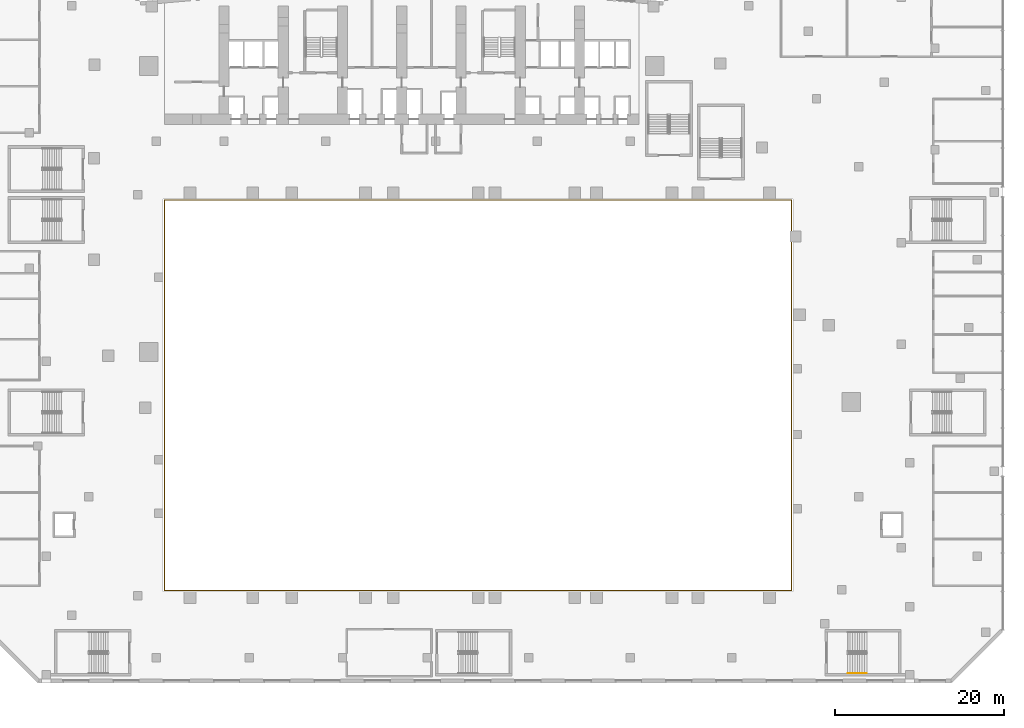
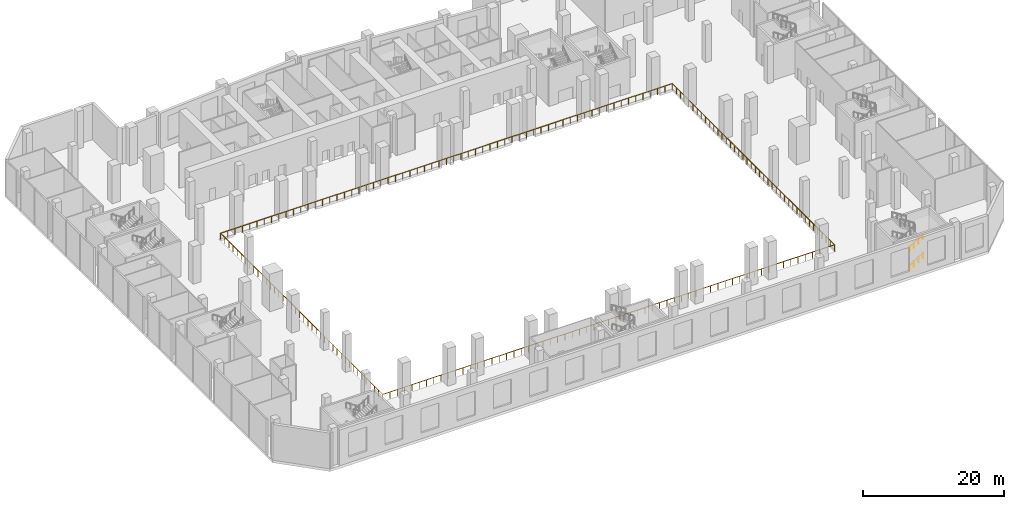
# One storey, part 25 of 30: 3 railings.
"""IFC4 building model written with IfcOpenShell, lengths in metres."""

from ifc_helpers import new_model, si_unit, direction, frame, origin, origin_2d, place, context, subcontext, project, spatial, circle, extrude, material, type_object, element, save


model = new_model("IFC4")

# Units and contexts
model_context = context("Model", 3, precision=1e-05, world=origin(), true_north=direction((0.0, 1.0)))
body_context = subcontext(model_context, "Body", "Model", "MODEL_VIEW")
ifc_project = project(units=[si_unit("LENGTHUNIT", "METRE"), si_unit("AREAUNIT", "SQUARE_METRE"), si_unit("VOLUMEUNIT", "CUBIC_METRE"), si_unit("PLANEANGLEUNIT", "RADIAN"), si_unit("MASSUNIT", "GRAM", prefix="KILO")], contexts=[model_context])

# Site, building, storey
site_placement = place(None, origin())
site = spatial("IfcSite", under=ifc_project, at=site_placement, CompositionType="ELEMENT")
building_placement = place(site_placement, origin())
building = spatial("IfcBuilding", under=site, at=building_placement, Name="Wharfspan Tower", CompositionType="ELEMENT")
storey_placement = place(building_placement, frame((0.0, 0.0, 15.0)))
storey = spatial("IfcBuildingStorey", under=building, at=storey_placement, Name="L02", CompositionType="ELEMENT", Elevation=15.0)

# Railings
ifc_material = material(Name="Steel S355J2", Category="steel")
railing_type_1 = type_object("IfcRailingType", Name="Guard 1100", PredefinedType="GUARDRAIL", material=ifc_material)
railing_placement = place(storey_placement, frame((8.949951, -21.050049, 0.0)))
element("IfcRailing", 1, at=railing_placement, inside=storey, type_object=railing_type_1, Name="Guard on the arena edge L02", PredefinedType="GUARDRAIL", context=body_context, shape_type="SweptSolid", body=[
    extrude(circle(Radius=0.024902, at=origin_2d()), frame((0.0, 0.0, 1.075195), z_axis=(1.0, 0.0, 0.0), x_axis=(0.0, 1.0, 0.0)), (0.0, 0.0, 1.0), 74.100098),
    extrude(circle(Radius=0.024902, at=origin_2d()), frame((74.100098, 0.0, 1.075195), z_axis=(0.0, 1.0, 0.0), x_axis=(-1.0, 0.0, 0.0)), (0.0, 0.0, 1.0), 46.100098),
    extrude(circle(Radius=0.024902, at=origin_2d()), frame((74.100098, 46.100098, 1.075195), z_axis=(-1.0, 0.0, 0.0), x_axis=(0.0, -1.0, 0.0)), (0.0, 0.0, 1.0), 74.100098),
    extrude(circle(Radius=0.024902, at=origin_2d()), frame((0.0, 46.100098, 1.075195), z_axis=(0.0, -1.0, 0.0), x_axis=(1.0, 0.0, 0.0)), (0.0, 0.0, 1.0), 46.100098),
    extrude(circle(Radius=0.02002, at=origin_2d()), origin(), (0.0, 0.0, 1.0), 1.050049),
    extrude(circle(Radius=0.02002, at=origin_2d()), frame((1.195068, 0.0, 0.0)), (0.0, 0.0, 1.0), 1.050049),
    extrude(circle(Radius=0.02002, at=origin_2d()), frame((2.390381, 0.0, 0.0)), (0.0, 0.0, 1.0), 1.050049),
    extrude(circle(Radius=0.02002, at=origin_2d()), frame((3.585449, 0.0, 0.0)), (0.0, 0.0, 1.0), 1.050049),
    extrude(circle(Radius=0.02002, at=origin_2d()), frame((4.780762, 0.0, 0.0)), (0.0, 0.0, 1.0), 1.050049),
    extrude(circle(Radius=0.02002, at=origin_2d()), frame((5.97583, 0.0, 0.0)), (0.0, 0.0, 1.0), 1.050049),
    extrude(circle(Radius=0.02002, at=origin_2d()), frame((7.170898, 0.0, 0.0)), (0.0, 0.0, 1.0), 1.050049),
    extrude(circle(Radius=0.02002, at=origin_2d()), frame((8.366211, 0.0, 0.0)), (0.0, 0.0, 1.0), 1.050049),
    extrude(circle(Radius=0.02002, at=origin_2d()), frame((9.561279, 0.0, 0.0)), (0.0, 0.0, 1.0), 1.050049),
    extrude(circle(Radius=0.02002, at=origin_2d()), frame((10.756348, 0.0, 0.0)), (0.0, 0.0, 1.0), 1.050049),
    extrude(circle(Radius=0.02002, at=origin_2d()), frame((11.95166, 0.0, 0.0)), (0.0, 0.0, 1.0), 1.050049),
    extrude(circle(Radius=0.02002, at=origin_2d()), frame((13.146729, 0.0, 0.0)), (0.0, 0.0, 1.0), 1.050049),
    extrude(circle(Radius=0.02002, at=origin_2d()), frame((14.342041, 0.0, 0.0)), (0.0, 0.0, 1.0), 1.050049),
    extrude(circle(Radius=0.02002, at=origin_2d()), frame((15.537109, 0.0, 0.0)), (0.0, 0.0, 1.0), 1.050049),
    extrude(circle(Radius=0.02002, at=origin_2d()), frame((16.732178, 0.0, 0.0)), (0.0, 0.0, 1.0), 1.050049),
    extrude(circle(Radius=0.02002, at=origin_2d()), frame((17.92749, 0.0, 0.0)), (0.0, 0.0, 1.0), 1.050049),
    extrude(circle(Radius=0.02002, at=origin_2d()), frame((19.122559, 0.0, 0.0)), (0.0, 0.0, 1.0), 1.050049),
    extrude(circle(Radius=0.02002, at=origin_2d()), frame((20.317871, 0.0, 0.0)), (0.0, 0.0, 1.0), 1.050049),
    extrude(circle(Radius=0.02002, at=origin_2d()), frame((21.512939, 0.0, 0.0)), (0.0, 0.0, 1.0), 1.050049),
    extrude(circle(Radius=0.02002, at=origin_2d()), frame((22.708008, 0.0, 0.0)), (0.0, 0.0, 1.0), 1.050049),
    extrude(circle(Radius=0.02002, at=origin_2d()), frame((23.90332, 0.0, 0.0)), (0.0, 0.0, 1.0), 1.050049),
    extrude(circle(Radius=0.02002, at=origin_2d()), frame((25.098389, 0.0, 0.0)), (0.0, 0.0, 1.0), 1.050049),
    extrude(circle(Radius=0.02002, at=origin_2d()), frame((26.293701, 0.0, 0.0)), (0.0, 0.0, 1.0), 1.050049),
    extrude(circle(Radius=0.02002, at=origin_2d()), frame((27.48877, 0.0, 0.0)), (0.0, 0.0, 1.0), 1.050049),
    extrude(circle(Radius=0.02002, at=origin_2d()), frame((28.683838, 0.0, 0.0)), (0.0, 0.0, 1.0), 1.050049),
    extrude(circle(Radius=0.02002, at=origin_2d()), frame((29.87915, 0.0, 0.0)), (0.0, 0.0, 1.0), 1.050049),
    extrude(circle(Radius=0.02002, at=origin_2d()), frame((31.074219, 0.0, 0.0)), (0.0, 0.0, 1.0), 1.050049),
    extrude(circle(Radius=0.02002, at=origin_2d()), frame((32.269287, 0.0, 0.0)), (0.0, 0.0, 1.0), 1.050049),
    extrude(circle(Radius=0.02002, at=origin_2d()), frame((33.4646, 0.0, 0.0)), (0.0, 0.0, 1.0), 1.050049),
    extrude(circle(Radius=0.02002, at=origin_2d()), frame((34.659668, 0.0, 0.0)), (0.0, 0.0, 1.0), 1.050049),
    extrude(circle(Radius=0.02002, at=origin_2d()), frame((35.85498, 0.0, 0.0)), (0.0, 0.0, 1.0), 1.050049),
    extrude(circle(Radius=0.02002, at=origin_2d()), frame((37.050049, 0.0, 0.0)), (0.0, 0.0, 1.0), 1.050049),
    extrude(circle(Radius=0.02002, at=origin_2d()), frame((38.245117, 0.0, 0.0)), (0.0, 0.0, 1.0), 1.050049),
    extrude(circle(Radius=0.02002, at=origin_2d()), frame((39.44043, 0.0, 0.0)), (0.0, 0.0, 1.0), 1.050049),
    extrude(circle(Radius=0.02002, at=origin_2d()), frame((40.635498, 0.0, 0.0)), (0.0, 0.0, 1.0), 1.050049),
    extrude(circle(Radius=0.02002, at=origin_2d()), frame((41.830811, 0.0, 0.0)), (0.0, 0.0, 1.0), 1.050049),
    extrude(circle(Radius=0.02002, at=origin_2d()), frame((43.025879, 0.0, 0.0)), (0.0, 0.0, 1.0), 1.050049),
    extrude(circle(Radius=0.02002, at=origin_2d()), frame((44.220947, 0.0, 0.0)), (0.0, 0.0, 1.0), 1.050049),
    extrude(circle(Radius=0.02002, at=origin_2d()), frame((45.41626, 0.0, 0.0)), (0.0, 0.0, 1.0), 1.050049),
    extrude(circle(Radius=0.02002, at=origin_2d()), frame((46.611328, 0.0, 0.0)), (0.0, 0.0, 1.0), 1.050049),
    extrude(circle(Radius=0.02002, at=origin_2d()), frame((47.806396, 0.0, 0.0)), (0.0, 0.0, 1.0), 1.050049),
    extrude(circle(Radius=0.02002, at=origin_2d()), frame((49.001709, 0.0, 0.0)), (0.0, 0.0, 1.0), 1.050049),
    extrude(circle(Radius=0.02002, at=origin_2d()), frame((50.196777, 0.0, 0.0)), (0.0, 0.0, 1.0), 1.050049),
    extrude(circle(Radius=0.02002, at=origin_2d()), frame((51.39209, 0.0, 0.0)), (0.0, 0.0, 1.0), 1.050049),
    extrude(circle(Radius=0.02002, at=origin_2d()), frame((52.587158, 0.0, 0.0)), (0.0, 0.0, 1.0), 1.050049),
    extrude(circle(Radius=0.02002, at=origin_2d()), frame((53.782227, 0.0, 0.0)), (0.0, 0.0, 1.0), 1.050049),
    extrude(circle(Radius=0.02002, at=origin_2d()), frame((54.977539, 0.0, 0.0)), (0.0, 0.0, 1.0), 1.050049),
    extrude(circle(Radius=0.02002, at=origin_2d()), frame((56.172607, 0.0, 0.0)), (0.0, 0.0, 1.0), 1.050049),
    extrude(circle(Radius=0.02002, at=origin_2d()), frame((57.36792, 0.0, 0.0)), (0.0, 0.0, 1.0), 1.050049),
    extrude(circle(Radius=0.02002, at=origin_2d()), frame((58.562988, 0.0, 0.0)), (0.0, 0.0, 1.0), 1.050049),
    extrude(circle(Radius=0.02002, at=origin_2d()), frame((59.758057, 0.0, 0.0)), (0.0, 0.0, 1.0), 1.050049),
    extrude(circle(Radius=0.02002, at=origin_2d()), frame((60.953369, 0.0, 0.0)), (0.0, 0.0, 1.0), 1.050049),
    extrude(circle(Radius=0.02002, at=origin_2d()), frame((62.148438, 0.0, 0.0)), (0.0, 0.0, 1.0), 1.050049),
    extrude(circle(Radius=0.02002, at=origin_2d()), frame((63.34375, 0.0, 0.0)), (0.0, 0.0, 1.0), 1.050049),
    extrude(circle(Radius=0.02002, at=origin_2d()), frame((64.538818, 0.0, 0.0)), (0.0, 0.0, 1.0), 1.050049),
    extrude(circle(Radius=0.02002, at=origin_2d()), frame((65.733887, 0.0, 0.0)), (0.0, 0.0, 1.0), 1.050049),
    extrude(circle(Radius=0.02002, at=origin_2d()), frame((66.929199, 0.0, 0.0)), (0.0, 0.0, 1.0), 1.050049),
    extrude(circle(Radius=0.02002, at=origin_2d()), frame((68.124268, 0.0, 0.0)), (0.0, 0.0, 1.0), 1.050049),
    extrude(circle(Radius=0.02002, at=origin_2d()), frame((69.319336, 0.0, 0.0)), (0.0, 0.0, 1.0), 1.050049),
    extrude(circle(Radius=0.02002, at=origin_2d()), frame((70.514648, 0.0, 0.0)), (0.0, 0.0, 1.0), 1.050049),
    extrude(circle(Radius=0.02002, at=origin_2d()), frame((71.709717, 0.0, 0.0)), (0.0, 0.0, 1.0), 1.050049),
    extrude(circle(Radius=0.02002, at=origin_2d()), frame((72.905029, 0.0, 0.0)), (0.0, 0.0, 1.0), 1.050049),
    extrude(circle(Radius=0.02002, at=origin_2d()), frame((74.100098, 0.0, 0.0)), (0.0, 0.0, 1.0), 1.050049),
    extrude(circle(Radius=0.02002, at=origin_2d()), frame((74.100098, 1.182129, 0.0)), (0.0, 0.0, 1.0), 1.050049),
    extrude(circle(Radius=0.02002, at=origin_2d()), frame((74.100098, 2.364014, 0.0)), (0.0, 0.0, 1.0), 1.050049),
    extrude(circle(Radius=0.02002, at=origin_2d()), frame((74.100098, 3.546143, 0.0)), (0.0, 0.0, 1.0), 1.050049),
    extrude(circle(Radius=0.02002, at=origin_2d()), frame((74.100098, 4.728271, 0.0)), (0.0, 0.0, 1.0), 1.050049),
    extrude(circle(Radius=0.02002, at=origin_2d()), frame((74.100098, 5.910156, 0.0)), (0.0, 0.0, 1.0), 1.050049),
    extrude(circle(Radius=0.02002, at=origin_2d()), frame((74.100098, 7.092285, 0.0)), (0.0, 0.0, 1.0), 1.050049),
    extrude(circle(Radius=0.02002, at=origin_2d()), frame((74.100098, 8.274414, 0.0)), (0.0, 0.0, 1.0), 1.050049),
    extrude(circle(Radius=0.02002, at=origin_2d()), frame((74.100098, 9.456543, 0.0)), (0.0, 0.0, 1.0), 1.050049),
    extrude(circle(Radius=0.02002, at=origin_2d()), frame((74.100098, 10.638428, 0.0)), (0.0, 0.0, 1.0), 1.050049),
    extrude(circle(Radius=0.02002, at=origin_2d()), frame((74.100098, 11.820557, 0.0)), (0.0, 0.0, 1.0), 1.050049),
    extrude(circle(Radius=0.02002, at=origin_2d()), frame((74.100098, 13.002686, 0.0)), (0.0, 0.0, 1.0), 1.050049),
    extrude(circle(Radius=0.02002, at=origin_2d()), frame((74.100098, 14.18457, 0.0)), (0.0, 0.0, 1.0), 1.050049),
    extrude(circle(Radius=0.02002, at=origin_2d()), frame((74.100098, 15.366699, 0.0)), (0.0, 0.0, 1.0), 1.050049),
    extrude(circle(Radius=0.02002, at=origin_2d()), frame((74.100098, 16.548828, 0.0)), (0.0, 0.0, 1.0), 1.050049),
    extrude(circle(Radius=0.02002, at=origin_2d()), frame((74.100098, 17.730713, 0.0)), (0.0, 0.0, 1.0), 1.050049),
    extrude(circle(Radius=0.02002, at=origin_2d()), frame((74.100098, 18.912842, 0.0)), (0.0, 0.0, 1.0), 1.050049),
    extrude(circle(Radius=0.02002, at=origin_2d()), frame((74.100098, 20.094971, 0.0)), (0.0, 0.0, 1.0), 1.050049),
    extrude(circle(Radius=0.02002, at=origin_2d()), frame((74.100098, 21.276855, 0.0)), (0.0, 0.0, 1.0), 1.050049),
    extrude(circle(Radius=0.02002, at=origin_2d()), frame((74.100098, 22.458984, 0.0)), (0.0, 0.0, 1.0), 1.050049),
    extrude(circle(Radius=0.02002, at=origin_2d()), frame((74.100098, 23.641113, 0.0)), (0.0, 0.0, 1.0), 1.050049),
    extrude(circle(Radius=0.02002, at=origin_2d()), frame((74.100098, 24.823242, 0.0)), (0.0, 0.0, 1.0), 1.050049),
    extrude(circle(Radius=0.02002, at=origin_2d()), frame((74.100098, 26.005127, 0.0)), (0.0, 0.0, 1.0), 1.050049),
    extrude(circle(Radius=0.02002, at=origin_2d()), frame((74.100098, 27.187256, 0.0)), (0.0, 0.0, 1.0), 1.050049),
    extrude(circle(Radius=0.02002, at=origin_2d()), frame((74.100098, 28.369385, 0.0)), (0.0, 0.0, 1.0), 1.050049),
    extrude(circle(Radius=0.02002, at=origin_2d()), frame((74.100098, 29.55127, 0.0)), (0.0, 0.0, 1.0), 1.050049),
    extrude(circle(Radius=0.02002, at=origin_2d()), frame((74.100098, 30.733398, 0.0)), (0.0, 0.0, 1.0), 1.050049),
    extrude(circle(Radius=0.02002, at=origin_2d()), frame((74.100098, 31.915527, 0.0)), (0.0, 0.0, 1.0), 1.050049),
    extrude(circle(Radius=0.02002, at=origin_2d()), frame((74.100098, 33.097412, 0.0)), (0.0, 0.0, 1.0), 1.050049),
    extrude(circle(Radius=0.02002, at=origin_2d()), frame((74.100098, 34.279541, 0.0)), (0.0, 0.0, 1.0), 1.050049),
    extrude(circle(Radius=0.02002, at=origin_2d()), frame((74.100098, 35.46167, 0.0)), (0.0, 0.0, 1.0), 1.050049),
    extrude(circle(Radius=0.02002, at=origin_2d()), frame((74.100098, 36.643555, 0.0)), (0.0, 0.0, 1.0), 1.050049),
    extrude(circle(Radius=0.02002, at=origin_2d()), frame((74.100098, 37.825684, 0.0)), (0.0, 0.0, 1.0), 1.050049),
    extrude(circle(Radius=0.02002, at=origin_2d()), frame((74.100098, 39.007812, 0.0)), (0.0, 0.0, 1.0), 1.050049),
    extrude(circle(Radius=0.02002, at=origin_2d()), frame((74.100098, 40.189941, 0.0)), (0.0, 0.0, 1.0), 1.050049),
    extrude(circle(Radius=0.02002, at=origin_2d()), frame((74.100098, 41.371826, 0.0)), (0.0, 0.0, 1.0), 1.050049),
    extrude(circle(Radius=0.02002, at=origin_2d()), frame((74.100098, 42.553955, 0.0)), (0.0, 0.0, 1.0), 1.050049),
    extrude(circle(Radius=0.02002, at=origin_2d()), frame((74.100098, 43.736084, 0.0)), (0.0, 0.0, 1.0), 1.050049),
    extrude(circle(Radius=0.02002, at=origin_2d()), frame((74.100098, 44.917969, 0.0)), (0.0, 0.0, 1.0), 1.050049),
    extrude(circle(Radius=0.02002, at=origin_2d()), frame((74.100098, 46.100098, 0.0)), (0.0, 0.0, 1.0), 1.050049),
    extrude(circle(Radius=0.02002, at=origin_2d()), frame((72.905029, 46.100098, 0.0)), (0.0, 0.0, 1.0), 1.050049),
    extrude(circle(Radius=0.02002, at=origin_2d()), frame((71.709717, 46.100098, 0.0)), (0.0, 0.0, 1.0), 1.050049),
    extrude(circle(Radius=0.02002, at=origin_2d()), frame((70.514648, 46.100098, 0.0)), (0.0, 0.0, 1.0), 1.050049),
    extrude(circle(Radius=0.02002, at=origin_2d()), frame((69.319336, 46.100098, 0.0)), (0.0, 0.0, 1.0), 1.050049),
    extrude(circle(Radius=0.02002, at=origin_2d()), frame((68.124268, 46.100098, 0.0)), (0.0, 0.0, 1.0), 1.050049),
    extrude(circle(Radius=0.02002, at=origin_2d()), frame((66.929199, 46.100098, 0.0)), (0.0, 0.0, 1.0), 1.050049),
    extrude(circle(Radius=0.02002, at=origin_2d()), frame((65.733887, 46.100098, 0.0)), (0.0, 0.0, 1.0), 1.050049),
    extrude(circle(Radius=0.02002, at=origin_2d()), frame((64.538818, 46.100098, 0.0)), (0.0, 0.0, 1.0), 1.050049),
    extrude(circle(Radius=0.02002, at=origin_2d()), frame((63.34375, 46.100098, 0.0)), (0.0, 0.0, 1.0), 1.050049),
    extrude(circle(Radius=0.02002, at=origin_2d()), frame((62.148438, 46.100098, 0.0)), (0.0, 0.0, 1.0), 1.050049),
    extrude(circle(Radius=0.02002, at=origin_2d()), frame((60.953369, 46.100098, 0.0)), (0.0, 0.0, 1.0), 1.050049),
    extrude(circle(Radius=0.02002, at=origin_2d()), frame((59.758057, 46.100098, 0.0)), (0.0, 0.0, 1.0), 1.050049),
    extrude(circle(Radius=0.02002, at=origin_2d()), frame((58.562988, 46.100098, 0.0)), (0.0, 0.0, 1.0), 1.050049),
    extrude(circle(Radius=0.02002, at=origin_2d()), frame((57.36792, 46.100098, 0.0)), (0.0, 0.0, 1.0), 1.050049),
    extrude(circle(Radius=0.02002, at=origin_2d()), frame((56.172607, 46.100098, 0.0)), (0.0, 0.0, 1.0), 1.050049),
    extrude(circle(Radius=0.02002, at=origin_2d()), frame((54.977539, 46.100098, 0.0)), (0.0, 0.0, 1.0), 1.050049),
    extrude(circle(Radius=0.02002, at=origin_2d()), frame((53.782227, 46.100098, 0.0)), (0.0, 0.0, 1.0), 1.050049),
    extrude(circle(Radius=0.02002, at=origin_2d()), frame((52.587158, 46.100098, 0.0)), (0.0, 0.0, 1.0), 1.050049),
    extrude(circle(Radius=0.02002, at=origin_2d()), frame((51.39209, 46.100098, 0.0)), (0.0, 0.0, 1.0), 1.050049),
    extrude(circle(Radius=0.02002, at=origin_2d()), frame((50.196777, 46.100098, 0.0)), (0.0, 0.0, 1.0), 1.050049),
    extrude(circle(Radius=0.02002, at=origin_2d()), frame((49.001709, 46.100098, 0.0)), (0.0, 0.0, 1.0), 1.050049),
    extrude(circle(Radius=0.02002, at=origin_2d()), frame((47.806396, 46.100098, 0.0)), (0.0, 0.0, 1.0), 1.050049),
    extrude(circle(Radius=0.02002, at=origin_2d()), frame((46.611328, 46.100098, 0.0)), (0.0, 0.0, 1.0), 1.050049),
    extrude(circle(Radius=0.02002, at=origin_2d()), frame((45.41626, 46.100098, 0.0)), (0.0, 0.0, 1.0), 1.050049),
    extrude(circle(Radius=0.02002, at=origin_2d()), frame((44.220947, 46.100098, 0.0)), (0.0, 0.0, 1.0), 1.050049),
    extrude(circle(Radius=0.02002, at=origin_2d()), frame((43.025879, 46.100098, 0.0)), (0.0, 0.0, 1.0), 1.050049),
    extrude(circle(Radius=0.02002, at=origin_2d()), frame((41.830811, 46.100098, 0.0)), (0.0, 0.0, 1.0), 1.050049),
    extrude(circle(Radius=0.02002, at=origin_2d()), frame((40.635498, 46.100098, 0.0)), (0.0, 0.0, 1.0), 1.050049),
    extrude(circle(Radius=0.02002, at=origin_2d()), frame((39.44043, 46.100098, 0.0)), (0.0, 0.0, 1.0), 1.050049),
    extrude(circle(Radius=0.02002, at=origin_2d()), frame((38.245117, 46.100098, 0.0)), (0.0, 0.0, 1.0), 1.050049),
    extrude(circle(Radius=0.02002, at=origin_2d()), frame((37.050049, 46.100098, 0.0)), (0.0, 0.0, 1.0), 1.050049),
    extrude(circle(Radius=0.02002, at=origin_2d()), frame((35.85498, 46.100098, 0.0)), (0.0, 0.0, 1.0), 1.050049),
    extrude(circle(Radius=0.02002, at=origin_2d()), frame((34.659668, 46.100098, 0.0)), (0.0, 0.0, 1.0), 1.050049),
    extrude(circle(Radius=0.02002, at=origin_2d()), frame((33.4646, 46.100098, 0.0)), (0.0, 0.0, 1.0), 1.050049),
    extrude(circle(Radius=0.02002, at=origin_2d()), frame((32.269287, 46.100098, 0.0)), (0.0, 0.0, 1.0), 1.050049),
    extrude(circle(Radius=0.02002, at=origin_2d()), frame((31.074219, 46.100098, 0.0)), (0.0, 0.0, 1.0), 1.050049),
    extrude(circle(Radius=0.02002, at=origin_2d()), frame((29.87915, 46.100098, 0.0)), (0.0, 0.0, 1.0), 1.050049),
    extrude(circle(Radius=0.02002, at=origin_2d()), frame((28.683838, 46.100098, 0.0)), (0.0, 0.0, 1.0), 1.050049),
    extrude(circle(Radius=0.02002, at=origin_2d()), frame((27.48877, 46.100098, 0.0)), (0.0, 0.0, 1.0), 1.050049),
    extrude(circle(Radius=0.02002, at=origin_2d()), frame((26.293701, 46.100098, 0.0)), (0.0, 0.0, 1.0), 1.050049),
    extrude(circle(Radius=0.02002, at=origin_2d()), frame((25.098389, 46.100098, 0.0)), (0.0, 0.0, 1.0), 1.050049),
    extrude(circle(Radius=0.02002, at=origin_2d()), frame((23.90332, 46.100098, 0.0)), (0.0, 0.0, 1.0), 1.050049),
    extrude(circle(Radius=0.02002, at=origin_2d()), frame((22.708008, 46.100098, 0.0)), (0.0, 0.0, 1.0), 1.050049),
    extrude(circle(Radius=0.02002, at=origin_2d()), frame((21.512939, 46.100098, 0.0)), (0.0, 0.0, 1.0), 1.050049),
    extrude(circle(Radius=0.02002, at=origin_2d()), frame((20.317871, 46.100098, 0.0)), (0.0, 0.0, 1.0), 1.050049),
    extrude(circle(Radius=0.02002, at=origin_2d()), frame((19.122559, 46.100098, 0.0)), (0.0, 0.0, 1.0), 1.050049),
    extrude(circle(Radius=0.02002, at=origin_2d()), frame((17.92749, 46.100098, 0.0)), (0.0, 0.0, 1.0), 1.050049),
    extrude(circle(Radius=0.02002, at=origin_2d()), frame((16.732178, 46.100098, 0.0)), (0.0, 0.0, 1.0), 1.050049),
    extrude(circle(Radius=0.02002, at=origin_2d()), frame((15.537109, 46.100098, 0.0)), (0.0, 0.0, 1.0), 1.050049),
    extrude(circle(Radius=0.02002, at=origin_2d()), frame((14.342041, 46.100098, 0.0)), (0.0, 0.0, 1.0), 1.050049),
    extrude(circle(Radius=0.02002, at=origin_2d()), frame((13.146729, 46.100098, 0.0)), (0.0, 0.0, 1.0), 1.050049),
    extrude(circle(Radius=0.02002, at=origin_2d()), frame((11.95166, 46.100098, 0.0)), (0.0, 0.0, 1.0), 1.050049),
    extrude(circle(Radius=0.02002, at=origin_2d()), frame((10.756348, 46.100098, 0.0)), (0.0, 0.0, 1.0), 1.050049),
    extrude(circle(Radius=0.02002, at=origin_2d()), frame((9.561279, 46.100098, 0.0)), (0.0, 0.0, 1.0), 1.050049),
    extrude(circle(Radius=0.02002, at=origin_2d()), frame((8.366211, 46.100098, 0.0)), (0.0, 0.0, 1.0), 1.050049),
    extrude(circle(Radius=0.02002, at=origin_2d()), frame((7.170898, 46.100098, 0.0)), (0.0, 0.0, 1.0), 1.050049),
    extrude(circle(Radius=0.02002, at=origin_2d()), frame((5.97583, 46.100098, 0.0)), (0.0, 0.0, 1.0), 1.050049),
    extrude(circle(Radius=0.02002, at=origin_2d()), frame((4.780762, 46.100098, 0.0)), (0.0, 0.0, 1.0), 1.050049),
    extrude(circle(Radius=0.02002, at=origin_2d()), frame((3.585449, 46.100098, 0.0)), (0.0, 0.0, 1.0), 1.050049),
    extrude(circle(Radius=0.02002, at=origin_2d()), frame((2.390381, 46.100098, 0.0)), (0.0, 0.0, 1.0), 1.050049),
    extrude(circle(Radius=0.02002, at=origin_2d()), frame((1.195068, 46.100098, 0.0)), (0.0, 0.0, 1.0), 1.050049),
    extrude(circle(Radius=0.02002, at=origin_2d()), frame((0.0, 46.100098, 0.0)), (0.0, 0.0, 1.0), 1.050049),
    extrude(circle(Radius=0.02002, at=origin_2d()), frame((0.0, 44.917969, 0.0)), (0.0, 0.0, 1.0), 1.050049),
    extrude(circle(Radius=0.02002, at=origin_2d()), frame((0.0, 43.736084, 0.0)), (0.0, 0.0, 1.0), 1.050049),
    extrude(circle(Radius=0.02002, at=origin_2d()), frame((0.0, 42.553955, 0.0)), (0.0, 0.0, 1.0), 1.050049),
    extrude(circle(Radius=0.02002, at=origin_2d()), frame((0.0, 41.371826, 0.0)), (0.0, 0.0, 1.0), 1.050049),
    extrude(circle(Radius=0.02002, at=origin_2d()), frame((0.0, 40.189941, 0.0)), (0.0, 0.0, 1.0), 1.050049),
    extrude(circle(Radius=0.02002, at=origin_2d()), frame((0.0, 39.007812, 0.0)), (0.0, 0.0, 1.0), 1.050049),
    extrude(circle(Radius=0.02002, at=origin_2d()), frame((0.0, 37.825684, 0.0)), (0.0, 0.0, 1.0), 1.050049),
    extrude(circle(Radius=0.02002, at=origin_2d()), frame((0.0, 36.643555, 0.0)), (0.0, 0.0, 1.0), 1.050049),
    extrude(circle(Radius=0.02002, at=origin_2d()), frame((0.0, 35.46167, 0.0)), (0.0, 0.0, 1.0), 1.050049),
    extrude(circle(Radius=0.02002, at=origin_2d()), frame((0.0, 34.279541, 0.0)), (0.0, 0.0, 1.0), 1.050049),
    extrude(circle(Radius=0.02002, at=origin_2d()), frame((0.0, 33.097412, 0.0)), (0.0, 0.0, 1.0), 1.050049),
    extrude(circle(Radius=0.02002, at=origin_2d()), frame((0.0, 31.915527, 0.0)), (0.0, 0.0, 1.0), 1.050049),
    extrude(circle(Radius=0.02002, at=origin_2d()), frame((0.0, 30.733398, 0.0)), (0.0, 0.0, 1.0), 1.050049),
    extrude(circle(Radius=0.02002, at=origin_2d()), frame((0.0, 29.55127, 0.0)), (0.0, 0.0, 1.0), 1.050049),
    extrude(circle(Radius=0.02002, at=origin_2d()), frame((0.0, 28.369385, 0.0)), (0.0, 0.0, 1.0), 1.050049),
    extrude(circle(Radius=0.02002, at=origin_2d()), frame((0.0, 27.187256, 0.0)), (0.0, 0.0, 1.0), 1.050049),
    extrude(circle(Radius=0.02002, at=origin_2d()), frame((0.0, 26.005127, 0.0)), (0.0, 0.0, 1.0), 1.050049),
    extrude(circle(Radius=0.02002, at=origin_2d()), frame((0.0, 24.823242, 0.0)), (0.0, 0.0, 1.0), 1.050049),
    extrude(circle(Radius=0.02002, at=origin_2d()), frame((0.0, 23.641113, 0.0)), (0.0, 0.0, 1.0), 1.050049),
    extrude(circle(Radius=0.02002, at=origin_2d()), frame((0.0, 22.458984, 0.0)), (0.0, 0.0, 1.0), 1.050049),
    extrude(circle(Radius=0.02002, at=origin_2d()), frame((0.0, 21.276855, 0.0)), (0.0, 0.0, 1.0), 1.050049),
    extrude(circle(Radius=0.02002, at=origin_2d()), frame((0.0, 20.094971, 0.0)), (0.0, 0.0, 1.0), 1.050049),
    extrude(circle(Radius=0.02002, at=origin_2d()), frame((0.0, 18.912842, 0.0)), (0.0, 0.0, 1.0), 1.050049),
    extrude(circle(Radius=0.02002, at=origin_2d()), frame((0.0, 17.730713, 0.0)), (0.0, 0.0, 1.0), 1.050049),
    extrude(circle(Radius=0.02002, at=origin_2d()), frame((0.0, 16.548828, 0.0)), (0.0, 0.0, 1.0), 1.050049),
    extrude(circle(Radius=0.02002, at=origin_2d()), frame((0.0, 15.366699, 0.0)), (0.0, 0.0, 1.0), 1.050049),
    extrude(circle(Radius=0.02002, at=origin_2d()), frame((0.0, 14.18457, 0.0)), (0.0, 0.0, 1.0), 1.050049),
    extrude(circle(Radius=0.02002, at=origin_2d()), frame((0.0, 13.002686, 0.0)), (0.0, 0.0, 1.0), 1.050049),
    extrude(circle(Radius=0.02002, at=origin_2d()), frame((0.0, 11.820557, 0.0)), (0.0, 0.0, 1.0), 1.050049),
    extrude(circle(Radius=0.02002, at=origin_2d()), frame((0.0, 10.638428, 0.0)), (0.0, 0.0, 1.0), 1.050049),
    extrude(circle(Radius=0.02002, at=origin_2d()), frame((0.0, 9.456543, 0.0)), (0.0, 0.0, 1.0), 1.050049),
    extrude(circle(Radius=0.02002, at=origin_2d()), frame((0.0, 8.274414, 0.0)), (0.0, 0.0, 1.0), 1.050049),
    extrude(circle(Radius=0.02002, at=origin_2d()), frame((0.0, 7.092285, 0.0)), (0.0, 0.0, 1.0), 1.050049),
    extrude(circle(Radius=0.02002, at=origin_2d()), frame((0.0, 5.910156, 0.0)), (0.0, 0.0, 1.0), 1.050049),
    extrude(circle(Radius=0.02002, at=origin_2d()), frame((0.0, 4.728271, 0.0)), (0.0, 0.0, 1.0), 1.050049),
    extrude(circle(Radius=0.02002, at=origin_2d()), frame((0.0, 3.546143, 0.0)), (0.0, 0.0, 1.0), 1.050049),
    extrude(circle(Radius=0.02002, at=origin_2d()), frame((0.0, 2.364014, 0.0)), (0.0, 0.0, 1.0), 1.050049),
    extrude(circle(Radius=0.02002, at=origin_2d()), frame((0.0, 1.182129, 0.0)), (0.0, 0.0, 1.0), 1.050049),
])
railing_type_2 = type_object("IfcRailingType", Name="Podium stair handrail 900", PredefinedType="HANDRAIL", material=ifc_material)
for number, where, name in (
    (2, (89.699951, -30.850098, 0.180664), "L02 AS2 stair handrail 1"),
    (3, (89.699951, -30.850098, 3.430664), "L02 AS2 stair handrail 3"),
):
    element("IfcRailing", number, at=place(storey_placement, frame(where)), inside=storey, type_object=railing_type_2, Name=name, PredefinedType="HANDRAIL", context=body_context, shape_type="SweptSolid", body=[
        extrude(circle(Radius=0.023926, at=origin_2d()), frame((0.0, 0.0, 0.875977), z_axis=(0.840437, 0.0, 0.54191), x_axis=(0.0, 1.0, 0.0)), (0.0, 0.0, 1.0), 2.665283),
        extrude(circle(Radius=0.020996, at=origin_2d()), origin(), (0.0, 0.0, 1.0), 0.851807),
        extrude(circle(Radius=0.020996, at=origin_2d()), frame((0.746582, 0.0, 0.481445)), (0.0, 0.0, 1.0), 0.851807),
        extrude(circle(Radius=0.020996, at=origin_2d()), frame((1.493408, 0.0, 0.962891)), (0.0, 0.0, 1.0), 0.851807),
        extrude(circle(Radius=0.020996, at=origin_2d()), frame((2.23999, 0.0, 1.444336)), (0.0, 0.0, 1.0), 0.851807),
    ])

save(model, "model.ifc")
